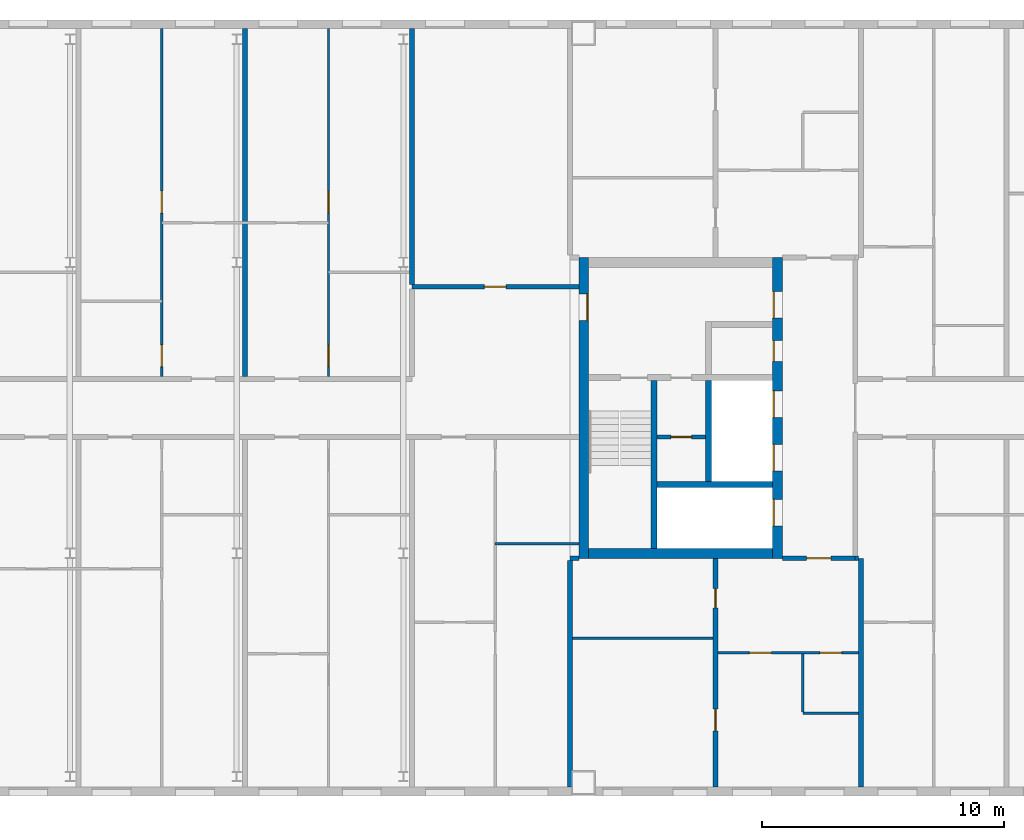
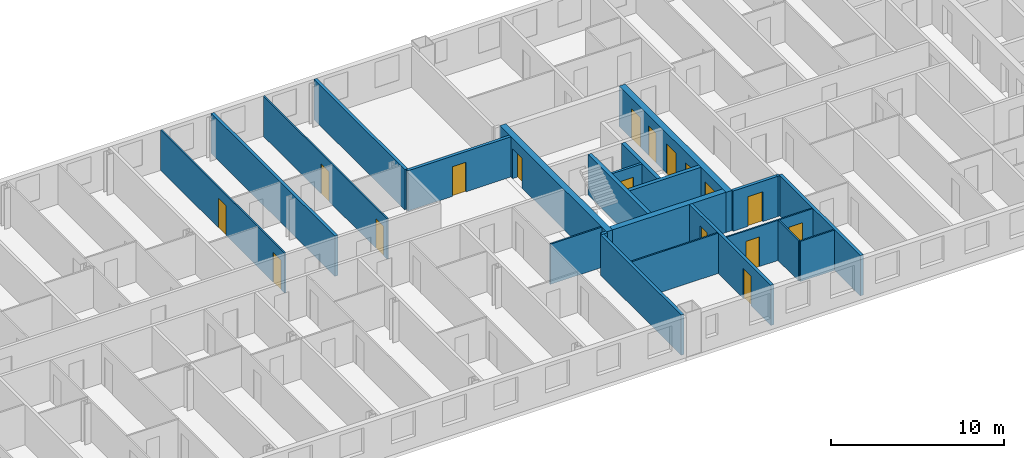
# One storey, part 13 of 19: 23 walls, 17 doors, 17 openings.
"""IFC4 building model written with IfcOpenShell, lengths in metres."""

from ifc_helpers import new_model, si_unit, direction, frame, frame_2d, origin, place, context, subcontext, project, spatial, rectangle, extrude, material, layer, layer_set, type_object, element, fill, save


model = new_model("IFC4")

# Units and contexts
model_context = context("Model", 3, precision=1e-05, world=origin(), true_north=direction((0.0, 1.0)))
body_context = subcontext(model_context, "Body", "Model", "MODEL_VIEW")
ifc_project = project(units=[si_unit("LENGTHUNIT", "METRE"), si_unit("AREAUNIT", "SQUARE_METRE"), si_unit("VOLUMEUNIT", "CUBIC_METRE"), si_unit("PLANEANGLEUNIT", "RADIAN"), si_unit("MASSUNIT", "GRAM", prefix="KILO")], contexts=[model_context])

# Site, building, storey
site_placement = place(None, origin())
site = spatial("IfcSite", under=ifc_project, at=site_placement, CompositionType="ELEMENT")
building_placement = place(site_placement, origin())
building = spatial("IfcBuilding", under=site, at=building_placement, Name="Tuart Gate Housing", CompositionType="ELEMENT")
storey_placement = place(building_placement, frame((0.0, 0.0, 205.89990234375)))
storey = spatial("IfcBuildingStorey", under=building, at=storey_placement, Name="L58", CompositionType="ELEMENT", Elevation=205.89990234375)

# Wall, opening, door
ifc_material_1 = material(Name="Plasterboard partition")
ifc_layer_1 = layer(ifc_material_1, 0.14990234375)
ifc_layer_set_1 = layer_set([ifc_layer_1], Name="Core partition 150")
wall_type_1 = type_object("IfcWallType", Name="Core partition 150", PredefinedType="PARTITIONING", material=ifc_layer_set_1)
wall_1_placement = place(storey_placement, frame((136.5849609375, 68.800048828125, 0.0), z_axis=(0.0, 0.0, 1.0), x_axis=(-1.0, 0.0, 0.0)))
wall_1 = element("IfcWall", 1, at=wall_1_placement, inside=storey, type_object=wall_type_1, Name="Core partition BG.2", PredefinedType="PARTITIONING", context=body_context, shape_type="SweptSolid", body=[
    extrude(rectangle(XDim=2.0, YDim=0.14990234375, at=frame_2d((1.0, 0.0))), origin(), (0.0, 0.0, 1.0), 2.85009765625),
])
opening_1_placement = place(wall_1_placement, frame((0.574951171875, 0.0, 0.0)))
opening_1 = element("IfcOpeningElement", 2, at=opening_1_placement, cuts=wall_1, Name="Opening D2088", PredefinedType="OPENING", context=body_context, shape_type="SweptSolid", body=[
    extrude(rectangle(XDim=0.85009765625, YDim=2.10009765625, at=frame_2d((0.425048828125, 1.050048828125))), frame((0.0, 0.0849609375, 0.0), z_axis=(0.0, -1.0, 0.0), x_axis=(1.0, 0.0, 0.0)), (0.0, 0.0, 1.0), 0.169921875),
])
ifc_material_2 = material(Name="Steel fire door", Category="steel")
door_type_1 = type_object("IfcDoorType", Name="Service door 850 x 2100 RH", OperationType="SINGLE_SWING_RIGHT", PredefinedType="DOOR", material=ifc_material_2)
door_1_placement = place(opening_1_placement, frame((0.85009765625, 0.0, 0.0), z_axis=(0.0, 0.0, 1.0), x_axis=(-1.0, 0.0, 0.0)))
door_1 = element("IfcDoor", 3, at=door_1_placement, inside=storey, type_object=door_type_1, Name="Service room door BG.W2", OperationType="SINGLE_SWING_RIGHT", OverallHeight=2.10009765625, OverallWidth=0.85009765625, PredefinedType="DOOR", context=body_context, shape_type="SweptSolid", body=[
    extrude(rectangle(XDim=0.85009765625, YDim=2.10009765625, at=frame_2d((0.425048828125, 1.050048828125))), frame((0.0, 0.025146484375, 0.0), z_axis=(0.0, -1.0, 0.0), x_axis=(1.0, 0.0, 0.0)), (0.0, 0.0, 1.0), 0.050048828125),
])
fill(opening_1, door_1)

# Walls
ifc_material_3 = material(Name="Concrete C40", Category="concrete")
ifc_layer_2 = layer(ifc_material_3, 0.25)
ifc_layer_set_2 = layer_set([ifc_layer_2], Name="Core wall 250 C40")
wall_type_2 = type_object("IfcWallType", Name="Core wall 250 C40", PredefinedType="SHEAR", material=ifc_layer_set_2)
wall_2_placement = place(storey_placement, frame((139.360107421875, 66.85009765625, 0.0), z_axis=(0.0, 0.0, 1.0), x_axis=(-1.0, 0.0, 0.0)))
element("IfcWall", 4, at=wall_2_placement, inside=storey, type_object=wall_type_2, Name="Core wall BG.1", PredefinedType="SHEAR", context=body_context, shape_type="SweptSolid", body=[
    extrude(rectangle(XDim=4.775146484375, YDim=0.25, at=frame_2d((2.3876953125, 0.0))), origin(), (0.0, 0.0, 1.0), 2.85009765625),
])
wall_3_placement = place(storey_placement, frame((136.7099609375, 66.97509765625, 0.0), z_axis=(0.0, 0.0, 1.0), x_axis=(0.0, 1.0, 0.0)))
element("IfcWall", 5, at=wall_3_placement, inside=storey, type_object=wall_type_2, Name="Core wall BG.5", PredefinedType="SHEAR", context=body_context, shape_type="SweptSolid", body=[
    extrude(rectangle(XDim=4.14990234375, YDim=0.25, at=frame_2d((2.074951171875, 0.0))), origin(), (0.0, 0.0, 1.0), 2.85009765625),
])
wall_4_placement = place(storey_placement, frame((134.4599609375, 64.199951171875, 0.0), z_axis=(0.0, 0.0, 1.0), x_axis=(0.0, 1.0, 0.0)))
element("IfcWall", 6, at=wall_4_placement, inside=storey, type_object=wall_type_2, Name="Core wall BG.7", PredefinedType="SHEAR", context=body_context, shape_type="SweptSolid", body=[
    extrude(rectangle(XDim=6.925048828125, YDim=0.25, at=frame_2d((3.46240234375, 0.0))), origin(), (0.0, 0.0, 1.0), 2.85009765625),
])

# Wall, openings, doors
ifc_material_4 = material(Name="Concrete C40", Category="concrete")
ifc_layer_3 = layer(ifc_material_4, 0.39990234375)
ifc_layer_set_3 = layer_set([ifc_layer_3], Name="Core wall 400 C40")
wall_type_3 = type_object("IfcWallType", Name="Core wall 400 C40", PredefinedType="SHEAR", material=ifc_layer_set_3)
wall_5_placement = place(storey_placement, frame((139.56005859375, 63.800048828125, 0.0), z_axis=(0.0, 0.0, 1.0), x_axis=(0.0, 1.0, 0.0)))
wall_5 = element("IfcWall", 7, at=wall_5_placement, inside=storey, type_object=wall_type_3, Name="Core wall BG front", PredefinedType="SHEAR", context=body_context, shape_type="SweptSolid", body=[
    extrude(rectangle(XDim=12.39990234375, YDim=0.39990234375, at=frame_2d((6.199951171875, 0.0))), origin(), (0.0, 0.0, 1.0), 2.85009765625),
])
opening_2_placement = place(wall_5_placement, frame((1.324951171875, 0.0, 0.0)))
opening_2 = element("IfcOpeningElement", 8, at=opening_2_placement, cuts=wall_5, Name="Opening LD-FB1", PredefinedType="OPENING", context=body_context, shape_type="SweptSolid", body=[
    extrude(rectangle(XDim=1.10009765625, YDim=2.10009765625, at=frame_2d((0.550048828125, 1.050048828125))), frame((0.0, 0.2099609375, 0.0), z_axis=(0.0, -1.0, 0.0), x_axis=(1.0, 0.0, 0.0)), (0.0, 0.0, 1.0), 0.419921875),
])
opening_3_placement = place(wall_5_placement, frame((3.60009765625, 0.0, 0.0)))
opening_3 = element("IfcOpeningElement", 9, at=opening_3_placement, cuts=wall_5, Name="Opening LD-LB1", PredefinedType="OPENING", context=body_context, shape_type="SweptSolid", body=[
    extrude(rectangle(XDim=1.10009765625, YDim=2.10009765625, at=frame_2d((0.550048828125, 1.050048828125))), frame((0.0, 0.2099609375, 0.0), z_axis=(0.0, -1.0, 0.0), x_axis=(1.0, 0.0, 0.0)), (0.0, 0.0, 1.0), 0.419921875),
])
opening_4_placement = place(wall_5_placement, frame((5.800048828125, 0.0, 0.0)))
opening_4 = element("IfcOpeningElement", 10, at=opening_4_placement, cuts=wall_5, Name="Opening LD-LB2", PredefinedType="OPENING", context=body_context, shape_type="SweptSolid", body=[
    extrude(rectangle(XDim=1.10009765625, YDim=2.10009765625, at=frame_2d((0.550048828125, 1.050048828125))), frame((0.0, 0.2099609375, 0.0), z_axis=(0.0, -1.0, 0.0), x_axis=(1.0, 0.0, 0.0)), (0.0, 0.0, 1.0), 0.419921875),
])
opening_5_placement = place(wall_5_placement, frame((9.89990234375, 0.0, 0.0)))
opening_5 = element("IfcOpeningElement", 11, at=opening_5_placement, cuts=wall_5, Name="Opening D2081", PredefinedType="OPENING", context=body_context, shape_type="SweptSolid", body=[
    extrude(rectangle(XDim=1.10009765625, YDim=2.10009765625, at=frame_2d((0.550048828125, 1.050048828125))), frame((0.0, 0.2099609375, 0.0), z_axis=(0.0, -1.0, 0.0), x_axis=(1.0, 0.0, 0.0)), (0.0, 0.0, 1.0), 0.419921875),
])
opening_6_placement = place(wall_5_placement, frame((8.125, 0.0, 0.0)))
opening_6 = element("IfcOpeningElement", 12, at=opening_6_placement, cuts=wall_5, Name="Opening D2082", PredefinedType="OPENING", context=body_context, shape_type="SweptSolid", body=[
    extrude(rectangle(XDim=0.85009765625, YDim=2.10009765625, at=frame_2d((0.425048828125, 1.050048828125))), frame((0.0, 0.2099609375, 0.0), z_axis=(0.0, -1.0, 0.0), x_axis=(1.0, 0.0, 0.0)), (0.0, 0.0, 1.0), 0.419921875),
])
ifc_material_5 = material(Name="Stainless steel", Category="steel")
door_type_2 = type_object("IfcDoorType", Name="Landing door 1100 x 2100", OperationType="DOUBLE_DOOR_SLIDING", PredefinedType="DOOR", material=ifc_material_5)
door_2_placement = place(opening_2_placement, origin())
door_2 = element("IfcDoor", 13, at=door_2_placement, inside=storey, type_object=door_type_2, Name="Lift landing door FB1", OperationType="DOUBLE_DOOR_SLIDING", OverallHeight=2.10009765625, OverallWidth=1.10009765625, PredefinedType="DOOR", context=body_context, shape_type="SweptSolid", body=[
    extrude(rectangle(XDim=1.10009765625, YDim=2.10009765625, at=frame_2d((0.550048828125, 1.050048828125))), frame((0.0, 0.18505859375, 0.0), z_axis=(0.0, -1.0, 0.0), x_axis=(1.0, 0.0, 0.0)), (0.0, 0.0, 1.0), 0.050048828125),
])
fill(opening_2, door_2)
door_3_placement = place(opening_3_placement, origin())
door_3 = element("IfcDoor", 14, at=door_3_placement, inside=storey, type_object=door_type_2, Name="Lift landing door LB1", OperationType="DOUBLE_DOOR_SLIDING", OverallHeight=2.10009765625, OverallWidth=1.10009765625, PredefinedType="DOOR", context=body_context, shape_type="SweptSolid", body=[
    extrude(rectangle(XDim=1.10009765625, YDim=2.10009765625, at=frame_2d((0.550048828125, 1.050048828125))), frame((0.0, 0.18505859375, 0.0), z_axis=(0.0, -1.0, 0.0), x_axis=(1.0, 0.0, 0.0)), (0.0, 0.0, 1.0), 0.050048828125),
])
fill(opening_3, door_3)
door_4_placement = place(opening_4_placement, origin())
door_4 = element("IfcDoor", 15, at=door_4_placement, inside=storey, type_object=door_type_2, Name="Lift landing door LB2", OperationType="DOUBLE_DOOR_SLIDING", OverallHeight=2.10009765625, OverallWidth=1.10009765625, PredefinedType="DOOR", context=body_context, shape_type="SweptSolid", body=[
    extrude(rectangle(XDim=1.10009765625, YDim=2.10009765625, at=frame_2d((0.550048828125, 1.050048828125))), frame((0.0, 0.18505859375, 0.0), z_axis=(0.0, -1.0, 0.0), x_axis=(1.0, 0.0, 0.0)), (0.0, 0.0, 1.0), 0.050048828125),
])
fill(opening_4, door_4)
ifc_material_6 = material(Name="Steel fire door", Category="steel")
door_type_3 = type_object("IfcDoorType", Name="Lobby door 1100 x 2100", OperationType="SINGLE_SWING_LEFT", PredefinedType="DOOR", material=ifc_material_6)
door_5_placement = place(opening_5_placement, origin())
door_5 = element("IfcDoor", 16, at=door_5_placement, inside=storey, type_object=door_type_3, Name="Lobby entry door BG.EN", OperationType="SINGLE_SWING_LEFT", OverallHeight=2.10009765625, OverallWidth=1.10009765625, PredefinedType="DOOR", context=body_context, shape_type="SweptSolid", body=[
    extrude(rectangle(XDim=1.10009765625, YDim=2.10009765625, at=frame_2d((0.550048828125, 1.050048828125))), frame((0.0, 0.18505859375, 0.0), z_axis=(0.0, -1.0, 0.0), x_axis=(1.0, 0.0, 0.0)), (0.0, 0.0, 1.0), 0.050048828125),
])
fill(opening_5, door_5)
ifc_material_7 = material(Name="Steel fire door", Category="steel")
door_type_4 = type_object("IfcDoorType", Name="Service door 850 x 2100", OperationType="SINGLE_SWING_LEFT", PredefinedType="DOOR", material=ifc_material_7)
door_6_placement = place(opening_6_placement, origin())
door_6 = element("IfcDoor", 17, at=door_6_placement, inside=storey, type_object=door_type_4, Name="Service room door BG.T1", OperationType="SINGLE_SWING_LEFT", OverallHeight=2.10009765625, OverallWidth=0.85009765625, PredefinedType="DOOR", context=body_context, shape_type="SweptSolid", body=[
    extrude(rectangle(XDim=0.85009765625, YDim=2.10009765625, at=frame_2d((0.425048828125, 1.050048828125))), frame((0.0, 0.18505859375, 0.0), z_axis=(0.0, -1.0, 0.0), x_axis=(1.0, 0.0, 0.0)), (0.0, 0.0, 1.0), 0.050048828125),
])
fill(opening_6, door_6)

# Wall, opening, door
wall_6_placement = place(storey_placement, frame((131.56005859375, 63.800048828125, 0.0), z_axis=(0.0, 0.0, 1.0), x_axis=(0.0, 1.0, 0.0)))
wall_6 = element("IfcWall", 18, at=wall_6_placement, inside=storey, type_object=wall_type_3, Name="Core wall BG back", PredefinedType="SHEAR", context=body_context, shape_type="SweptSolid", body=[
    extrude(rectangle(XDim=12.39990234375, YDim=0.39990234375, at=frame_2d((6.199951171875, 0.0))), origin(), (0.0, 0.0, 1.0), 2.85009765625),
])
opening_7_placement = place(wall_6_placement, frame((9.800048828125, 0.0, 0.0)))
opening_7 = element("IfcOpeningElement", 19, at=opening_7_placement, cuts=wall_6, Name="Opening D2080", PredefinedType="OPENING", context=body_context, shape_type="SweptSolid", body=[
    extrude(rectangle(XDim=1.10009765625, YDim=2.10009765625, at=frame_2d((0.550048828125, 1.050048828125))), frame((0.0, 0.2099609375, 0.0), z_axis=(0.0, -1.0, 0.0), x_axis=(1.0, 0.0, 0.0)), (0.0, 0.0, 1.0), 0.419921875),
])
door_7_placement = place(opening_7_placement, frame((1.10009765625, 0.0, 0.0), z_axis=(0.0, 0.0, 1.0), x_axis=(-1.0, 0.0, 0.0)))
door_7 = element("IfcDoor", 20, at=door_7_placement, inside=storey, type_object=door_type_3, Name="Link door BG.LK", OperationType="SINGLE_SWING_LEFT", OverallHeight=2.10009765625, OverallWidth=1.10009765625, PredefinedType="DOOR", context=body_context, shape_type="SweptSolid", body=[
    extrude(rectangle(XDim=1.10009765625, YDim=2.10009765625, at=frame_2d((0.550048828125, 1.050048828125))), frame((0.0, 0.184814453125, 0.0), z_axis=(0.0, -1.0, 0.0), x_axis=(1.0, 0.0, 0.0)), (0.0, 0.0, 1.0), 0.050048828125),
])
fill(opening_7, door_7)

# Wall
wall_7_placement = place(storey_placement, frame((139.360107421875, 64.0, 0.0), z_axis=(0.0, 0.0, 1.0), x_axis=(-1.0, 0.0, 0.0)))
element("IfcWall", 21, at=wall_7_placement, inside=storey, type_object=wall_type_3, Name="Core wall BG south", PredefinedType="SHEAR", context=body_context, shape_type="SweptSolid", body=[
    extrude(rectangle(XDim=7.60009765625, YDim=0.39990234375, at=frame_2d((3.800048828125, 0.0))), origin(), (0.0, 0.0, 1.0), 2.85009765625),
])

# Wall, opening, door
ifc_material_8 = material(Name="Concrete masonry 15 MPa", Category="masonry")
ifc_layer_4 = layer(ifc_material_8, 0.199951171875)
ifc_layer_set_4 = layer_set([ifc_layer_4], Name="Corridor wall masonry 200")
wall_type_4 = type_object("IfcWallType", Name="Corridor wall masonry 200", PredefinedType="PARTITIONING", material=ifc_layer_set_4)
wall_8_placement = place(storey_placement, frame((124.47509765625, 75.0, 0.0), z_axis=(0.0, 0.0, 1.0), x_axis=(1.0, 0.0, 0.0)))
wall_8 = element("IfcWall", 22, at=wall_8_placement, inside=storey, type_object=wall_type_4, Name="Corridor wall masonry 200", PredefinedType="PARTITIONING", context=body_context, shape_type="SweptSolid", body=[
    extrude(rectangle(XDim=6.885009765625, YDim=0.199951171875, at=frame_2d((3.4423828125, 0.0))), origin(), (0.0, 0.0, 1.0), 2.85009765625),
])
opening_8_placement = place(wall_8_placement, frame((2.992431640625, 0.0, 0.0)))
opening_8 = element("IfcOpeningElement", 23, at=opening_8_placement, cuts=wall_8, Name="Opening D2022", PredefinedType="OPENING", context=body_context, shape_type="SweptSolid", body=[
    extrude(rectangle(XDim=0.89990234375, YDim=2.10009765625, at=frame_2d((0.449951171875, 1.050048828125))), frame((0.0, 0.10986328125, 0.0), z_axis=(0.0, -1.0, 0.0), x_axis=(1.0, 0.0, 0.0)), (0.0, 0.0, 1.0), 0.219970703125),
])
ifc_material_9 = material(Name="Timber door leaf in steel frame", Category="steel")
door_type_5 = type_object("IfcDoorType", Name="Internal door 900", OperationType="SINGLE_SWING_LEFT", PredefinedType="DOOR", material=ifc_material_9)
door_8_placement = place(opening_8_placement, origin())
door_8 = element("IfcDoor", 24, at=door_8_placement, inside=storey, type_object=door_type_5, Name="Internal door", OperationType="SINGLE_SWING_LEFT", OverallHeight=2.10009765625, OverallWidth=0.89990234375, PredefinedType="DOOR", context=body_context, shape_type="SweptSolid", body=[
    extrude(rectangle(XDim=0.89990234375, YDim=2.10009765625, at=frame_2d((0.449951171875, 1.050048828125))), frame((0.0, 0.02490234375, 0.0), z_axis=(0.0, -1.0, 0.0), x_axis=(1.0, 0.0, 0.0)), (0.0, 0.0, 1.0), 0.050048828125),
])
fill(opening_8, door_8)

ifc_material_10 = material(Name="Concrete masonry 15 MPa", Category="masonry")
ifc_layer_5 = layer(ifc_material_10, 0.199951171875)
ifc_layer_set_5 = layer_set([ifc_layer_5], Name="Enclosure wall masonry 200")
wall_type_5 = type_object("IfcWallType", Name="Enclosure wall masonry 200", PredefinedType="PARTITIONING", material=ifc_layer_set_5)
wall_9_placement = place(storey_placement, frame((139.760009765625, 63.800048828125, 0.0), z_axis=(0.0, 0.0, 1.0), x_axis=(1.0, 0.0, 0.0)))
wall_9 = element("IfcWall", 25, at=wall_9_placement, inside=storey, type_object=wall_type_5, Name="Enclosure wall masonry 200", PredefinedType="PARTITIONING", context=body_context, shape_type="SweptSolid", body=[
    extrude(rectangle(XDim=3.0, YDim=0.199951171875, at=frame_2d((1.5, 0.0))), origin(), (0.0, 0.0, 1.0), 2.85009765625),
])
opening_9_placement = place(wall_9_placement, frame((1.0, 0.0, 0.0)))
opening_9 = element("IfcOpeningElement", 26, at=opening_9_placement, cuts=wall_9, Name="Opening D2093", PredefinedType="OPENING", context=body_context, shape_type="SweptSolid", body=[
    extrude(rectangle(XDim=1.0, YDim=2.10009765625, at=frame_2d((0.5, 1.050048828125))), frame((0.0, 0.10986328125, 0.0), z_axis=(0.0, -1.0, 0.0), x_axis=(1.0, 0.0, 0.0)), (0.0, 0.0, 1.0), 0.219970703125),
])
ifc_material_11 = material(Name="Timber door leaf in steel frame", Category="steel")
door_type_6 = type_object("IfcDoorType", Name="Flat entrance door 1000", OperationType="SINGLE_SWING_LEFT", PredefinedType="DOOR", material=ifc_material_11)
door_9_placement = place(opening_9_placement, frame((1.0, 0.0, 0.0), z_axis=(0.0, 0.0, 1.0), x_axis=(-1.0, 0.0, 0.0)))
door_9 = element("IfcDoor", 27, at=door_9_placement, inside=storey, type_object=door_type_6, Name="Flat entrance door", OperationType="SINGLE_SWING_LEFT", OverallHeight=2.10009765625, OverallWidth=1.0, PredefinedType="DOOR", context=body_context, shape_type="SweptSolid", body=[
    extrude(rectangle(XDim=1.0, YDim=2.10009765625, at=frame_2d((0.5, 1.050048828125))), frame((0.0, 0.025146484375, 0.0), z_axis=(0.0, -1.0, 0.0), x_axis=(1.0, 0.0, 0.0)), (0.0, 0.0, 1.0), 0.050048828125),
])
fill(opening_9, door_9)

# Wall
ifc_material_12 = material(Name="Gypsum board on steel studs", Category="steel")
ifc_layer_6 = layer(ifc_material_12, 0.10009765625)
ifc_layer_set_6 = layer_set([ifc_layer_6], Name="Partition 100")
wall_type_6 = type_object("IfcWallType", Name="Partition 100", PredefinedType="PARTITIONING", material=ifc_layer_set_6)
wall_10_placement = place(storey_placement, frame((140.60009765625, 57.39990234375, 0.0), z_axis=(0.0, 0.0, 1.0), x_axis=(1.0, 0.0, 0.0)))
element("IfcWall", 28, at=wall_10_placement, inside=storey, type_object=wall_type_6, Name="Partition 100", PredefinedType="PARTITIONING", context=body_context, shape_type="SweptSolid", body=[
    extrude(rectangle(XDim=2.2998046875, YDim=0.10009765625, at=frame_2d((1.14990234375, 0.0))), origin(), (0.0, 0.0, 1.0), 2.85009765625),
])

# Wall, openings, doors
wall_11_placement = place(storey_placement, frame((137.10009765625, 59.89990234375, 0.0), z_axis=(0.0, 0.0, 1.0), x_axis=(1.0, 0.0, 0.0)))
wall_11 = element("IfcWall", 29, at=wall_11_placement, inside=storey, type_object=wall_type_6, Name="Partition 100", PredefinedType="PARTITIONING", context=body_context, shape_type="SweptSolid", body=[
    extrude(rectangle(XDim=5.7998046875, YDim=0.10009765625, at=frame_2d((2.89990234375, 0.0))), origin(), (0.0, 0.0, 1.0), 2.85009765625),
])
opening_10_placement = place(wall_11_placement, frame((1.300048828125, 0.0, 0.0)))
opening_10 = element("IfcOpeningElement", 30, at=opening_10_placement, cuts=wall_11, Name="Opening D2103", PredefinedType="OPENING", context=body_context, shape_type="SweptSolid", body=[
    extrude(rectangle(XDim=0.89990234375, YDim=2.10009765625, at=frame_2d((0.449951171875, 1.050048828125))), frame((0.0, 0.06005859375, 0.0), z_axis=(0.0, -1.0, 0.0), x_axis=(1.0, 0.0, 0.0)), (0.0, 0.0, 1.0), 0.1201171875),
])
opening_11_placement = place(wall_11_placement, frame((4.199951171875, 0.0, 0.0)))
opening_11 = element("IfcOpeningElement", 31, at=opening_11_placement, cuts=wall_11, Name="Opening D2102", PredefinedType="OPENING", context=body_context, shape_type="SweptSolid", body=[
    extrude(rectangle(XDim=0.89990234375, YDim=2.10009765625, at=frame_2d((0.449951171875, 1.050048828125))), frame((0.0, 0.06005859375, 0.0), z_axis=(0.0, -1.0, 0.0), x_axis=(1.0, 0.0, 0.0)), (0.0, 0.0, 1.0), 0.1201171875),
])
ifc_material_13 = material(Name="Timber door leaf in steel frame", Category="steel")
door_type_7 = type_object("IfcDoorType", Name="Bathroom door 900 RH", OperationType="SINGLE_SWING_RIGHT", PredefinedType="DOOR", material=ifc_material_13)
door_10_placement = place(opening_11_placement, frame((0.89990234375, 0.0, 0.0), z_axis=(0.0, 0.0, 1.0), x_axis=(-1.0, 0.0, 0.0)))
door_10 = element("IfcDoor", 32, at=door_10_placement, inside=storey, type_object=door_type_7, Name="Bathroom door", OperationType="SINGLE_SWING_RIGHT", OverallHeight=2.10009765625, OverallWidth=0.89990234375, PredefinedType="DOOR", context=body_context, shape_type="SweptSolid", body=[
    extrude(rectangle(XDim=0.89990234375, YDim=2.10009765625, at=frame_2d((0.449951171875, 1.050048828125))), frame((0.0, 0.025146484375, 0.0), z_axis=(0.0, -1.0, 0.0), x_axis=(1.0, 0.0, 0.0)), (0.0, 0.0, 1.0), 0.050048828125),
])
fill(opening_11, door_10)
door_11_placement = place(opening_10_placement, origin())
door_11 = element("IfcDoor", 33, at=door_11_placement, inside=storey, type_object=door_type_5, Name="Internal door", OperationType="SINGLE_SWING_LEFT", OverallHeight=2.10009765625, OverallWidth=0.89990234375, PredefinedType="DOOR", context=body_context, shape_type="SweptSolid", body=[
    extrude(rectangle(XDim=0.89990234375, YDim=2.10009765625, at=frame_2d((0.449951171875, 1.050048828125))), frame((0.0, 0.02490234375, 0.0), z_axis=(0.0, -1.0, 0.0), x_axis=(1.0, 0.0, 0.0)), (0.0, 0.0, 1.0), 0.050048828125),
])
fill(opening_10, door_11)

# Walls
wall_12_placement = place(storey_placement, frame((131.10009765625, 60.5, 0.0), z_axis=(0.0, 0.0, 1.0), x_axis=(1.0, 0.0, 0.0)))
element("IfcWall", 34, at=wall_12_placement, inside=storey, type_object=wall_type_6, Name="Partition 100", PredefinedType="PARTITIONING", context=body_context, shape_type="SweptSolid", body=[
    extrude(rectangle(XDim=5.7998046875, YDim=0.10009765625, at=frame_2d((2.89990234375, 0.0))), origin(), (0.0, 0.0, 1.0), 2.85009765625),
])
wall_13_placement = place(storey_placement, frame((127.912109375, 64.39990234375, 0.0), z_axis=(0.0, 0.0, 1.0), x_axis=(1.0, 0.0, 0.0)))
element("IfcWall", 35, at=wall_13_placement, inside=storey, type_object=wall_type_6, Name="Partition 100", PredefinedType="PARTITIONING", context=body_context, shape_type="SweptSolid", body=[
    extrude(rectangle(XDim=3.447998046875, YDim=0.10009765625, at=frame_2d((1.72412109375, 0.0))), origin(), (0.0, 0.0, 1.0), 2.85009765625),
])

# Wall, openings, doors
wall_14_placement = place(storey_placement, frame((114.162109375, 71.300048828125, 0.0), z_axis=(0.0, 0.0, 1.0), x_axis=(0.0, 1.0, 0.0)))
wall_14 = element("IfcWall", 36, at=wall_14_placement, inside=storey, type_object=wall_type_6, Name="Partition 100", PredefinedType="PARTITIONING", context=body_context, shape_type="SweptSolid", body=[
    extrude(rectangle(XDim=14.33984375, YDim=0.10009765625, at=frame_2d((7.169921875, 0.0))), origin(), (0.0, 0.0, 1.0), 2.85009765625),
])
opening_12_placement = place(wall_14_placement, frame((6.739990234375, 0.0, 0.0)))
opening_12 = element("IfcOpeningElement", 37, at=opening_12_placement, cuts=wall_14, Name="Opening D2014", PredefinedType="OPENING", context=body_context, shape_type="SweptSolid", body=[
    extrude(rectangle(XDim=0.89990234375, YDim=2.10009765625, at=frame_2d((0.449951171875, 1.050048828125))), frame((0.0, 0.06005859375, 0.0), z_axis=(0.0, -1.0, 0.0), x_axis=(1.0, 0.0, 0.0)), (0.0, 0.0, 1.0), 0.1201171875),
])
opening_13_placement = place(wall_14_placement, frame((0.39990234375, 0.0, 0.0)))
opening_13 = element("IfcOpeningElement", 38, at=opening_13_placement, cuts=wall_14, Name="Opening D2013", PredefinedType="OPENING", context=body_context, shape_type="SweptSolid", body=[
    extrude(rectangle(XDim=0.89990234375, YDim=2.10009765625, at=frame_2d((0.449951171875, 1.050048828125))), frame((0.0, 0.06005859375, 0.0), z_axis=(0.0, -1.0, 0.0), x_axis=(1.0, 0.0, 0.0)), (0.0, 0.0, 1.0), 0.1201171875),
])
ifc_material_14 = material(Name="Timber door leaf in steel frame", Category="steel")
door_type_8 = type_object("IfcDoorType", Name="Bathroom door 900", OperationType="SINGLE_SWING_LEFT", PredefinedType="DOOR", material=ifc_material_14)
door_12_placement = place(opening_13_placement, origin())
door_12 = element("IfcDoor", 39, at=door_12_placement, inside=storey, type_object=door_type_8, Name="Bathroom door", OperationType="SINGLE_SWING_LEFT", OverallHeight=2.10009765625, OverallWidth=0.89990234375, PredefinedType="DOOR", context=body_context, shape_type="SweptSolid", body=[
    extrude(rectangle(XDim=0.89990234375, YDim=2.10009765625, at=frame_2d((0.449951171875, 1.050048828125))), frame((0.0, 0.02490234375, 0.0), z_axis=(0.0, -1.0, 0.0), x_axis=(1.0, 0.0, 0.0)), (0.0, 0.0, 1.0), 0.050048828125),
])
fill(opening_13, door_12)
door_13_placement = place(opening_12_placement, origin())
door_13 = element("IfcDoor", 40, at=door_13_placement, inside=storey, type_object=door_type_5, Name="Internal door", OperationType="SINGLE_SWING_LEFT", OverallHeight=2.10009765625, OverallWidth=0.89990234375, PredefinedType="DOOR", context=body_context, shape_type="SweptSolid", body=[
    extrude(rectangle(XDim=0.89990234375, YDim=2.10009765625, at=frame_2d((0.449951171875, 1.050048828125))), frame((0.0, 0.02490234375, 0.0), z_axis=(0.0, -1.0, 0.0), x_axis=(1.0, 0.0, 0.0)), (0.0, 0.0, 1.0), 0.050048828125),
])
fill(opening_12, door_13)

wall_15_placement = place(storey_placement, frame((121.037109375, 71.300048828125, 0.0), z_axis=(0.0, 0.0, 1.0), x_axis=(0.0, 1.0, 0.0)))
wall_15 = element("IfcWall", 41, at=wall_15_placement, inside=storey, type_object=wall_type_6, Name="Partition 100", PredefinedType="PARTITIONING", context=body_context, shape_type="SweptSolid", body=[
    extrude(rectangle(XDim=14.33984375, YDim=0.10009765625, at=frame_2d((7.169921875, 0.0))), origin(), (0.0, 0.0, 1.0), 2.85009765625),
])
opening_14_placement = place(wall_15_placement, frame((6.739990234375, 0.0, 0.0)))
opening_14 = element("IfcOpeningElement", 42, at=opening_14_placement, cuts=wall_15, Name="Opening D2016", PredefinedType="OPENING", context=body_context, shape_type="SweptSolid", body=[
    extrude(rectangle(XDim=0.89990234375, YDim=2.10009765625, at=frame_2d((0.449951171875, 1.050048828125))), frame((0.0, 0.06005859375, 0.0), z_axis=(0.0, -1.0, 0.0), x_axis=(1.0, 0.0, 0.0)), (0.0, 0.0, 1.0), 0.1201171875),
])
opening_15_placement = place(wall_15_placement, frame((0.39990234375, 0.0, 0.0)))
opening_15 = element("IfcOpeningElement", 43, at=opening_15_placement, cuts=wall_15, Name="Opening D2015", PredefinedType="OPENING", context=body_context, shape_type="SweptSolid", body=[
    extrude(rectangle(XDim=0.89990234375, YDim=2.10009765625, at=frame_2d((0.449951171875, 1.050048828125))), frame((0.0, 0.06005859375, 0.0), z_axis=(0.0, -1.0, 0.0), x_axis=(1.0, 0.0, 0.0)), (0.0, 0.0, 1.0), 0.1201171875),
])
door_14_placement = place(opening_15_placement, frame((0.89990234375, 0.0, 0.0), z_axis=(0.0, 0.0, 1.0), x_axis=(-1.0, 0.0, 0.0)))
door_14 = element("IfcDoor", 44, at=door_14_placement, inside=storey, type_object=door_type_7, Name="Bathroom door", OperationType="SINGLE_SWING_RIGHT", OverallHeight=2.10009765625, OverallWidth=0.89990234375, PredefinedType="DOOR", context=body_context, shape_type="SweptSolid", body=[
    extrude(rectangle(XDim=0.89990234375, YDim=2.10009765625, at=frame_2d((0.449951171875, 1.050048828125))), frame((0.0, 0.025146484375, 0.0), z_axis=(0.0, -1.0, 0.0), x_axis=(1.0, 0.0, 0.0)), (0.0, 0.0, 1.0), 0.050048828125),
])
fill(opening_15, door_14)
ifc_material_15 = material(Name="Timber door leaf in steel frame", Category="steel")
door_type_9 = type_object("IfcDoorType", Name="Internal door 900 RH", OperationType="SINGLE_SWING_RIGHT", PredefinedType="DOOR", material=ifc_material_15)
door_15_placement = place(opening_14_placement, frame((0.89990234375, 0.0, 0.0), z_axis=(0.0, 0.0, 1.0), x_axis=(-1.0, 0.0, 0.0)))
door_15 = element("IfcDoor", 45, at=door_15_placement, inside=storey, type_object=door_type_9, Name="Internal door", OperationType="SINGLE_SWING_RIGHT", OverallHeight=2.10009765625, OverallWidth=0.89990234375, PredefinedType="DOOR", context=body_context, shape_type="SweptSolid", body=[
    extrude(rectangle(XDim=0.89990234375, YDim=2.10009765625, at=frame_2d((0.449951171875, 1.050048828125))), frame((0.0, 0.025146484375, 0.0), z_axis=(0.0, -1.0, 0.0), x_axis=(1.0, 0.0, 0.0)), (0.0, 0.0, 1.0), 0.050048828125),
])
fill(opening_14, door_15)

# Wall
wall_16_placement = place(storey_placement, frame((140.60009765625, 57.449951171875, 0.0), z_axis=(0.0, 0.0, 1.0), x_axis=(0.0, 1.0, 0.0)))
element("IfcWall", 46, at=wall_16_placement, inside=storey, type_object=wall_type_6, Name="Partition 100", PredefinedType="PARTITIONING", context=body_context, shape_type="SweptSolid", body=[
    extrude(rectangle(XDim=2.400146484375, YDim=0.10009765625, at=frame_2d((1.2001953125, 0.0))), origin(), (0.0, 0.0, 1.0), 2.85009765625),
])

# Wall, openings, doors
ifc_material_16 = material(Name="Concrete C40", Category="concrete")
ifc_layer_7 = layer(ifc_material_16, 0.199951171875)
ifc_layer_set_7 = layer_set([ifc_layer_7], Name="Party wall concrete C40 200")
wall_type_7 = type_object("IfcWallType", Name="Party wall concrete C40 200", PredefinedType="SOLIDWALL", material=ifc_layer_set_7)
wall_17_placement = place(storey_placement, frame((137.0, 54.360107421875, 0.0), z_axis=(0.0, 0.0, 1.0), x_axis=(0.0, 1.0, 0.0)))
wall_17 = element("IfcWall", 47, at=wall_17_placement, inside=storey, type_object=wall_type_7, Name="Party wall concrete C40 200", PredefinedType="SOLIDWALL", context=body_context, shape_type="SweptSolid", body=[
    extrude(rectangle(XDim=9.43994140625, YDim=0.199951171875, at=frame_2d((4.719970703125, 0.0))), origin(), (0.0, 0.0, 1.0), 2.85009765625),
])
opening_16_placement = place(wall_17_placement, frame((2.320068359375, 0.0, 0.0)))
opening_16 = element("IfcOpeningElement", 48, at=opening_16_placement, cuts=wall_17, Name="Opening D2105", PredefinedType="OPENING", context=body_context, shape_type="SweptSolid", body=[
    extrude(rectangle(XDim=0.89990234375, YDim=2.10009765625, at=frame_2d((0.449951171875, 1.050048828125))), frame((0.0, 0.10986328125, 0.0), z_axis=(0.0, -1.0, 0.0), x_axis=(1.0, 0.0, 0.0)), (0.0, 0.0, 1.0), 0.219970703125),
])
opening_17_placement = place(wall_17_placement, frame((7.389892578125, 0.0, 0.0)))
opening_17 = element("IfcOpeningElement", 49, at=opening_17_placement, cuts=wall_17, Name="Opening D2106", PredefinedType="OPENING", context=body_context, shape_type="SweptSolid", body=[
    extrude(rectangle(XDim=0.800048828125, YDim=2.10009765625, at=frame_2d((0.39990234375, 1.050048828125))), frame((0.0, 0.10986328125, 0.0), z_axis=(0.0, -1.0, 0.0), x_axis=(1.0, 0.0, 0.0)), (0.0, 0.0, 1.0), 0.219970703125),
])
door_16_placement = place(opening_16_placement, origin())
door_16 = element("IfcDoor", 50, at=door_16_placement, inside=storey, type_object=door_type_5, Name="Internal door", OperationType="SINGLE_SWING_LEFT", OverallHeight=2.10009765625, OverallWidth=0.89990234375, PredefinedType="DOOR", context=body_context, shape_type="SweptSolid", body=[
    extrude(rectangle(XDim=0.89990234375, YDim=2.10009765625, at=frame_2d((0.449951171875, 1.050048828125))), frame((0.0, 0.02490234375, 0.0), z_axis=(0.0, -1.0, 0.0), x_axis=(1.0, 0.0, 0.0)), (0.0, 0.0, 1.0), 0.050048828125),
])
fill(opening_16, door_16)
ifc_material_17 = material(Name="Timber door leaf in steel frame", Category="steel")
door_type_10 = type_object("IfcDoorType", Name="Store door 800", OperationType="SINGLE_SWING_LEFT", PredefinedType="DOOR", material=ifc_material_17)
door_17_placement = place(opening_17_placement, origin())
door_17 = element("IfcDoor", 51, at=door_17_placement, inside=storey, type_object=door_type_10, Name="Store door", OperationType="SINGLE_SWING_LEFT", OverallHeight=2.10009765625, OverallWidth=0.800048828125, PredefinedType="DOOR", context=body_context, shape_type="SweptSolid", body=[
    extrude(rectangle(XDim=0.800048828125, YDim=2.10009765625, at=frame_2d((0.39990234375, 1.050048828125))), frame((0.0, 0.02490234375, 0.0), z_axis=(0.0, -1.0, 0.0), x_axis=(1.0, 0.0, 0.0)), (0.0, 0.0, 1.0), 0.050048828125),
])
fill(opening_17, door_17)

# Walls
wall_18_placement = place(storey_placement, frame((143.0, 54.360107421875, 0.0), z_axis=(0.0, 0.0, 1.0), x_axis=(0.0, 1.0, 0.0)))
element("IfcWall", 52, at=wall_18_placement, inside=storey, type_object=wall_type_7, Name="Party wall concrete C40 200", PredefinedType="SOLIDWALL", context=body_context, shape_type="SweptSolid", body=[
    extrude(rectangle(XDim=9.43994140625, YDim=0.199951171875, at=frame_2d((4.719970703125, 0.0))), origin(), (0.0, 0.0, 1.0), 2.85009765625),
])
ifc_material_18 = material(Name="Concrete masonry 15 MPa", Category="masonry")
ifc_layer_8 = layer(ifc_material_18, 0.199951171875)
ifc_layer_set_8 = layer_set([ifc_layer_8], Name="Party wall masonry 200")
wall_type_8 = type_object("IfcWallType", Name="Party wall masonry 200", PredefinedType="PARTITIONING", material=ifc_layer_set_8)
wall_19_placement = place(storey_placement, frame((131.0, 63.800048828125, 0.0), z_axis=(0.0, 0.0, 1.0), x_axis=(1.0, 0.0, 0.0)))
element("IfcWall", 53, at=wall_19_placement, inside=storey, type_object=wall_type_8, Name="Party wall masonry 200", PredefinedType="PARTITIONING", context=body_context, shape_type="SweptSolid", body=[
    extrude(rectangle(XDim=0.360107421875, YDim=0.199951171875, at=frame_2d((0.18017578125, 0.0))), origin(), (0.0, 0.0, 1.0), 2.85009765625),
])
wall_20_placement = place(storey_placement, frame((142.760009765625, 63.800048828125, 0.0), z_axis=(0.0, 0.0, 1.0), x_axis=(1.0, 0.0, 0.0)))
element("IfcWall", 54, at=wall_20_placement, inside=storey, type_object=wall_type_8, Name="Party wall masonry 200", PredefinedType="PARTITIONING", context=body_context, shape_type="SweptSolid", body=[
    extrude(rectangle(XDim=0.139892578125, YDim=0.199951171875, at=frame_2d((0.06982421875, 0.0))), origin(), (0.0, 0.0, 1.0), 2.85009765625),
])
wall_21_placement = place(storey_placement, frame((117.60009765625, 71.300048828125, 0.0), z_axis=(0.0, 0.0, 1.0), x_axis=(0.0, 1.0, 0.0)))
element("IfcWall", 55, at=wall_21_placement, inside=storey, type_object=wall_type_8, Name="Party wall masonry 200", PredefinedType="PARTITIONING", context=body_context, shape_type="SweptSolid", body=[
    extrude(rectangle(XDim=14.33984375, YDim=0.199951171875, at=frame_2d((7.169921875, 0.0))), origin(), (0.0, 0.0, 1.0), 2.85009765625),
])
wall_22_placement = place(storey_placement, frame((124.47509765625, 75.10009765625, 0.0), z_axis=(0.0, 0.0, 1.0), x_axis=(0.0, 1.0, 0.0)))
element("IfcWall", 56, at=wall_22_placement, inside=storey, type_object=wall_type_8, Name="Party wall masonry 200", PredefinedType="PARTITIONING", context=body_context, shape_type="SweptSolid", body=[
    extrude(rectangle(XDim=10.539794921875, YDim=0.199951171875, at=frame_2d((5.27001953125, 0.0))), origin(), (0.0, 0.0, 1.0), 2.85009765625),
])
wall_23_placement = place(storey_placement, frame((131.0, 54.360107421875, 0.0), z_axis=(0.0, 0.0, 1.0), x_axis=(0.0, 1.0, 0.0)))
element("IfcWall", 57, at=wall_23_placement, inside=storey, type_object=wall_type_8, Name="Party wall masonry 200", PredefinedType="PARTITIONING", context=body_context, shape_type="SweptSolid", body=[
    extrude(rectangle(XDim=9.33984375, YDim=0.199951171875, at=frame_2d((4.669921875, 0.0))), origin(), (0.0, 0.0, 1.0), 2.85009765625),
])

save(model, "model.ifc")
